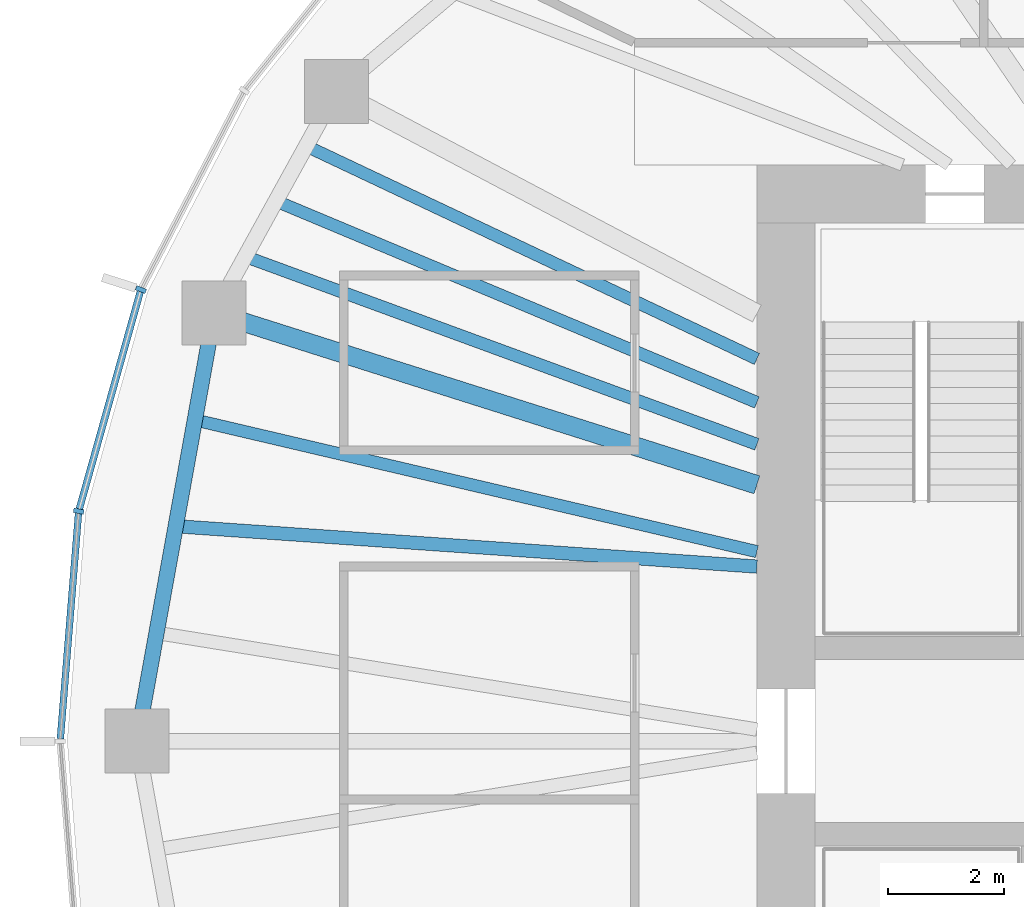
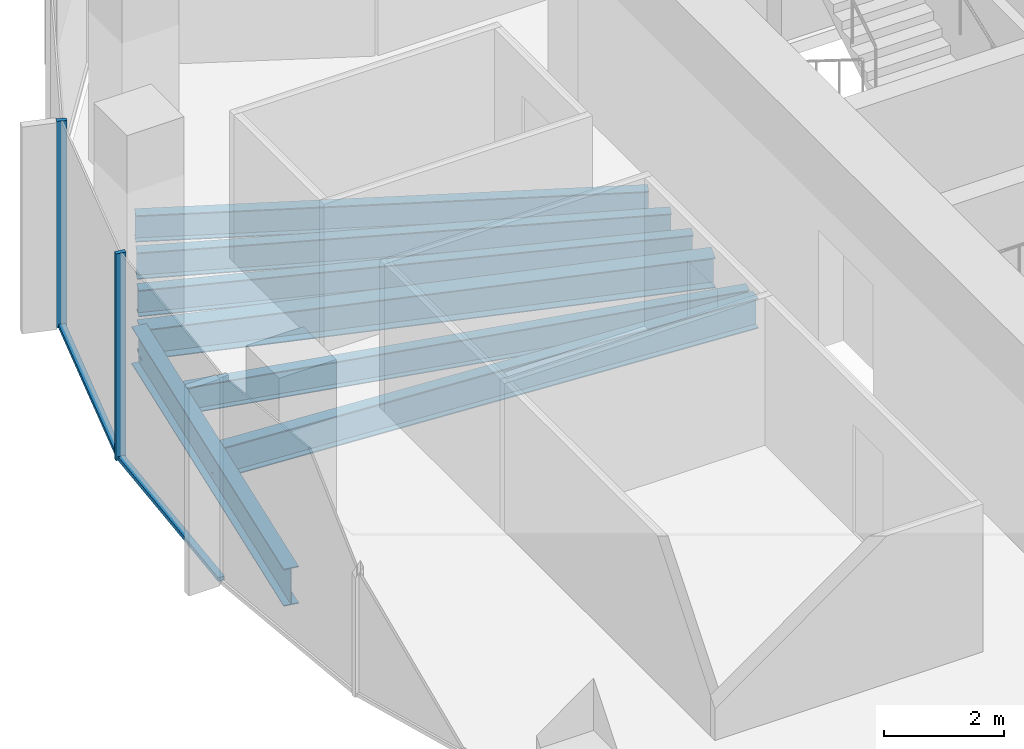
# One storey, part 3 of 11: 7 beams, 4 members, 1 element without a shape of its own.
"""IFC4 building model written with IfcOpenShell, lengths in metres."""

from ifc_helpers import new_model, si_unit, direction, frame, origin, origin_2d, place, context, subcontext, project, spatial, rectangle, i_section, extrude, material, material_profile, profile_set, type_object, element, aggregate, save


model = new_model("IFC4")

# Units and contexts
model_context = context("Model", 3, precision=1e-05, world=origin(), true_north=direction((0.0, 1.0)))
body_context = subcontext(model_context, "Body", "Model", "MODEL_VIEW")
ifc_project = project(units=[si_unit("LENGTHUNIT", "METRE"), si_unit("AREAUNIT", "SQUARE_METRE"), si_unit("VOLUMEUNIT", "CUBIC_METRE"), si_unit("PLANEANGLEUNIT", "RADIAN"), si_unit("MASSUNIT", "GRAM", prefix="KILO")], contexts=[model_context])

# Site, building, storey
site_placement = place(None, origin())
site = spatial("IfcSite", under=ifc_project, at=site_placement, CompositionType="ELEMENT")
building_placement = place(site_placement, origin())
building = spatial("IfcBuilding", under=site, at=building_placement, Name="Ghaith Harvest Tower", CompositionType="ELEMENT")
storey_placement = place(building_placement, frame((0.0, 0.0, 279.60009765625)))
storey = spatial("IfcBuildingStorey", under=building, at=storey_placement, Name="L62", CompositionType="ELEMENT", Elevation=279.60009765625)

# Curtain wall, members
ifc_material_1 = material(Name="Black anodised aluminium and fritted glass", Category="aluminium")
curtain_wall_type = type_object("IfcCurtainWallType", Name="CW-T CURTAIN WALL", PredefinedType="NOTDEFINED", material=ifc_material_1)
curtain_wall_placement = place(storey_placement, origin())
curtain_wall = element("IfcCurtainWall", 1, at=curtain_wall_placement, inside=storey, type_object=curtain_wall_type, Name="Curtain wall CW-T bay 10 L62", PredefinedType="NOTDEFINED")
ifc_material_2 = material(Name="Aluminium, black anodised", Category="aluminium")
ifc_material_profile_1 = material_profile(ifc_material_2, rectangle(XDim=0.080078125, YDim=0.179931640625, at=origin_2d()), Name="CW-T MULLION 80x180")
ifc_profile_set_1 = profile_set([ifc_material_profile_1], Name="Aluminium, black anodised")
member_type_1 = type_object("IfcMemberType", Name="CW-T MULLION 80x180", PredefinedType="MULLION", material=ifc_profile_set_1)
member_1_placement = place(storey_placement, frame((-24.482666015625, 7.759033203125, 0.0), z_axis=(0.0, 0.0, 1.0), x_axis=(-0.366473104961, -0.930428644948, 0.0)))
member_1 = element("IfcMember", 2, at=member_1_placement, type_object=member_type_1, Name="CW-T mullion 1 bay 10 L62", PredefinedType="MULLION", context=body_context, shape_type="SweptSolid", body=[
    extrude(rectangle(XDim=0.080078125, YDim=0.179931640625, at=origin_2d()), origin(), (0.0, 0.0, 1.0), 4.199951171875),
])
member_2_placement = place(storey_placement, frame((-25.5517578125, 3.9521484375, 0.0), z_axis=(0.0, 0.0, 1.0), x_axis=(-0.176001390642, -0.984389917915, 0.0)))
member_2 = element("IfcMember", 3, at=member_2_placement, type_object=member_type_1, Name="CW-T mullion 2 bay 10 L62", PredefinedType="MULLION", context=body_context, shape_type="SweptSolid", body=[
    extrude(rectangle(XDim=0.080078125, YDim=0.179931640625, at=origin_2d()), origin(), (0.0, 0.0, 1.0), 4.199951171875),
])
ifc_material_3 = material(Name="Aluminium, black anodised", Category="aluminium")
ifc_material_profile_2 = material_profile(ifc_material_3, rectangle(XDim=0.1201171875, YDim=0.080078125, at=origin_2d()), Name="CW-T TRANSOM 120x80")
ifc_profile_set_2 = profile_set([ifc_material_profile_2], Name="Aluminium, black anodised")
member_type_2 = type_object("IfcMemberType", Name="CW-T TRANSOM 120x80", PredefinedType="USERDEFINED", material=ifc_profile_set_2)
member_3_placement = place(storey_placement, frame((-24.49365234375, 7.720458984375, 0.039794921875), z_axis=(-0.270340422972, -0.962764797709, 0.0), x_axis=(0.962764797709, -0.270340422972, 0.0)))
member_3 = element("IfcMember", 4, at=member_3_placement, type_object=member_type_2, Name="CW-T transom 1 bay 10 L62", ObjectType="TRANSOM", PredefinedType="USERDEFINED", context=body_context, shape_type="SweptSolid", body=[
    extrude(rectangle(XDim=0.1201171875, YDim=0.080078125, at=origin_2d()), origin(), (0.0, 0.0, 1.0), 3.874267578125),
])
member_4_placement = place(storey_placement, frame((-25.554931640625, 3.912109375, 0.039794921875), z_axis=(-0.08025226314, -0.996774585481, 0.0), x_axis=(0.996774585481, -0.08025226314, 0.0)))
member_4 = element("IfcMember", 5, at=member_4_placement, type_object=member_type_2, Name="CW-T transom 2 bay 10 L62", ObjectType="TRANSOM", PredefinedType="USERDEFINED", context=body_context, shape_type="SweptSolid", body=[
    extrude(rectangle(XDim=0.1201171875, YDim=0.080078125, at=origin_2d()), origin(), (0.0, 0.0, 1.0), 3.884765625),
])
aggregate(curtain_wall, [member_1, member_3, member_2, member_4])

# Beams
ifc_material_4 = material(Name="Steel ASTM A992 Grade 50", Category="steel")
ifc_material_profile_3 = material_profile(ifc_material_4, i_section(OverallWidth=0.26611328125, OverallDepth=0.758056640625, WebThickness=0.013916015625, FlangeThickness=0.019287109375, at=origin_2d()), Name="W760X161")
ifc_profile_set_3 = profile_set([ifc_material_profile_3], Name="Steel ASTM A992 Grade 50")
beam_type_1 = type_object("IfcBeamType", Name="E760-161 W760X161", PredefinedType="SPANDREL", material=ifc_profile_set_3)
beam_1_placement = place(storey_placement, frame((-23.22412109375, 7.360107421875, -0.549072265625), z_axis=(-0.177296554745, -0.984157473007, 0.0), x_axis=(0.984157473007, -0.177296554745, 0.0)))
element("IfcBeam", 6, at=beam_1_placement, inside=storey, type_object=beam_type_1, Name="Edge beam E10 L62", PredefinedType="SPANDREL", context=body_context, shape_type="SweptSolid", body=[
    extrude(i_section(OverallWidth=0.26611328125, OverallDepth=0.758056640625, WebThickness=0.013916015625, FlangeThickness=0.019287109375, at=origin_2d()), origin(), (0.0, 0.0, 1.0), 7.478515625),
])
ifc_material_5 = material(Name="Steel ASTM A992 Grade 50", Category="steel")
ifc_material_profile_4 = material_profile(ifc_material_5, i_section(OverallWidth=0.323974609375, OverallDepth=0.611083984375, WebThickness=0.0126953125, FlangeThickness=0.01904296875, at=origin_2d()), Name="W610X155")
ifc_profile_set_4 = profile_set([ifc_material_profile_4], Name="Steel ASTM A992 Grade 50")
beam_type_2 = type_object("IfcBeamType", Name="G610-155 W610X155", PredefinedType="BEAM", material=ifc_profile_set_4)
beam_2_placement = place(storey_placement, frame((-13.89990234375, 4.4052734375, -0.4755859375), z_axis=(-0.953278508772, 0.302092841215, 0.0), x_axis=(-0.302092841215, -0.953278508772, 0.0)))
element("IfcBeam", 7, at=beam_2_placement, inside=storey, type_object=beam_type_2, Name="Radial girder G10 L62", PredefinedType="BEAM", context=body_context, shape_type="SweptSolid", body=[
    extrude(i_section(OverallWidth=0.323974609375, OverallDepth=0.611083984375, WebThickness=0.0126953125, FlangeThickness=0.01904296875, at=origin_2d()), origin(), (0.0, 0.0, 1.0), 9.78125),
])
ifc_material_6 = material(Name="Steel ASTM A992 Grade 50", Category="steel")
ifc_material_profile_5 = material_profile(ifc_material_6, i_section(OverallWidth=0.2109375, OverallDepth=0.5390625, WebThickness=0.01171875, FlangeThickness=0.018798828125, at=origin_2d()), Name="W530X109")
ifc_profile_set_5 = profile_set([ifc_material_profile_5], Name="Steel ASTM A992 Grade 50")
beam_type_3 = type_object("IfcBeamType", Name="J530-109 W530X109", PredefinedType="JOIST", material=ifc_profile_set_5)
beam_3_placement = place(storey_placement, frame((-13.89990234375, 6.56787109375, -0.439697265625), z_axis=(-0.904165769726, 0.427181765594, 0.0), x_axis=(-0.427181765594, -0.904165769726, 0.0)))
element("IfcBeam", 8, at=beam_3_placement, inside=storey, type_object=beam_type_3, Name="Joist J09.1 L62", PredefinedType="JOIST", context=body_context, shape_type="SweptSolid", body=[
    extrude(i_section(OverallWidth=0.2109375, OverallDepth=0.5390625, WebThickness=0.01171875, FlangeThickness=0.018798828125, at=origin_2d()), origin(), (0.0, 0.0, 1.0), 8.564208984375),
])
beam_4_placement = place(storey_placement, frame((-13.89990234375, 5.82080078125, -0.439697265625), z_axis=(-0.922394258818, 0.38624970071, 0.0), x_axis=(-0.38624970071, -0.922394258818, 0.0)))
element("IfcBeam", 9, at=beam_4_placement, inside=storey, type_object=beam_type_3, Name="Joist J09.2 L62", PredefinedType="JOIST", context=body_context, shape_type="SweptSolid", body=[
    extrude(i_section(OverallWidth=0.2109375, OverallDepth=0.5390625, WebThickness=0.01171875, FlangeThickness=0.018798828125, at=origin_2d()), origin(), (0.0, 0.0, 1.0), 8.959716796875),
])
beam_5_placement = place(storey_placement, frame((-13.89990234375, 5.101318359375, -0.439697265625), z_axis=(-0.938776837502, 0.34452583266, 0.0), x_axis=(-0.34452583266, -0.938776837502, 0.0)))
element("IfcBeam", 10, at=beam_5_placement, inside=storey, type_object=beam_type_3, Name="Joist J09.3 L62", PredefinedType="JOIST", context=body_context, shape_type="SweptSolid", body=[
    extrude(i_section(OverallWidth=0.2109375, OverallDepth=0.5390625, WebThickness=0.01171875, FlangeThickness=0.018798828125, at=origin_2d()), origin(), (0.0, 0.0, 1.0), 9.36376953125),
])
beam_6_placement = place(storey_placement, frame((-13.89990234375, 3.257080078125, -0.439697265625), z_axis=(-0.973623403271, 0.228161058472, 0.0), x_axis=(-0.228161058472, -0.973623403271, 0.0)))
element("IfcBeam", 11, at=beam_6_placement, inside=storey, type_object=beam_type_3, Name="Joist J10.1 L62", PredefinedType="JOIST", context=body_context, shape_type="SweptSolid", body=[
    extrude(i_section(OverallWidth=0.2109375, OverallDepth=0.5390625, WebThickness=0.01171875, FlangeThickness=0.018798828125, at=origin_2d()), origin(), (0.0, 0.0, 1.0), 9.9169921875),
])
ifc_material_7 = material(Name="Steel ASTM A992 Grade 50", Category="steel")
ifc_material_profile_6 = material_profile(ifc_material_7, i_section(OverallWidth=0.22998046875, OverallDepth=0.616943359375, WebThickness=0.01318359375, FlangeThickness=0.022216796875, at=origin_2d()), Name="W610X140")
ifc_profile_set_6 = profile_set([ifc_material_profile_6], Name="Steel ASTM A992 Grade 50")
beam_type_4 = type_object("IfcBeamType", Name="J610-140 W610X140", PredefinedType="JOIST", material=ifc_profile_set_6)
beam_7_placement = place(storey_placement, frame((-13.89990234375, 3.0, -0.478515625), z_axis=(-0.997592478057, 0.069348739886, 0.0), x_axis=(-0.069348739886, -0.997592478057, 0.0)))
element("IfcBeam", 12, at=beam_7_placement, inside=storey, type_object=beam_type_4, Name="Joist J10.2 L62", PredefinedType="JOIST", context=body_context, shape_type="SweptSolid", body=[
    extrude(i_section(OverallWidth=0.22998046875, OverallDepth=0.616943359375, WebThickness=0.01318359375, FlangeThickness=0.022216796875, at=origin_2d()), origin(), (0.0, 0.0, 1.0), 10.0087890625),
])

save(model, "model.ifc")
